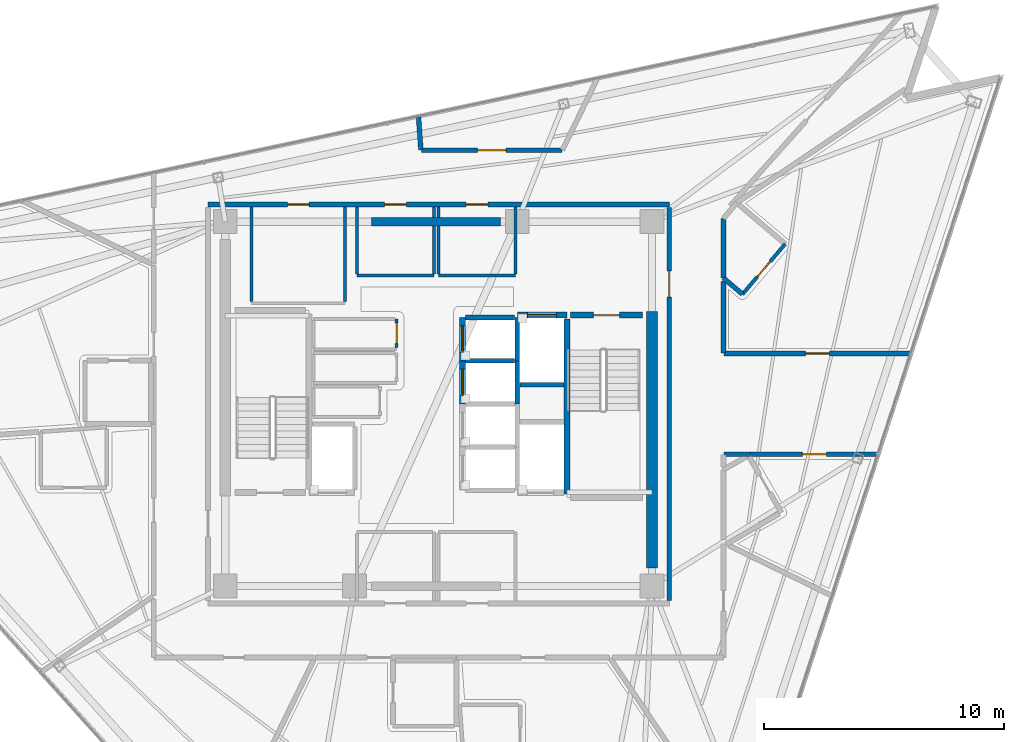
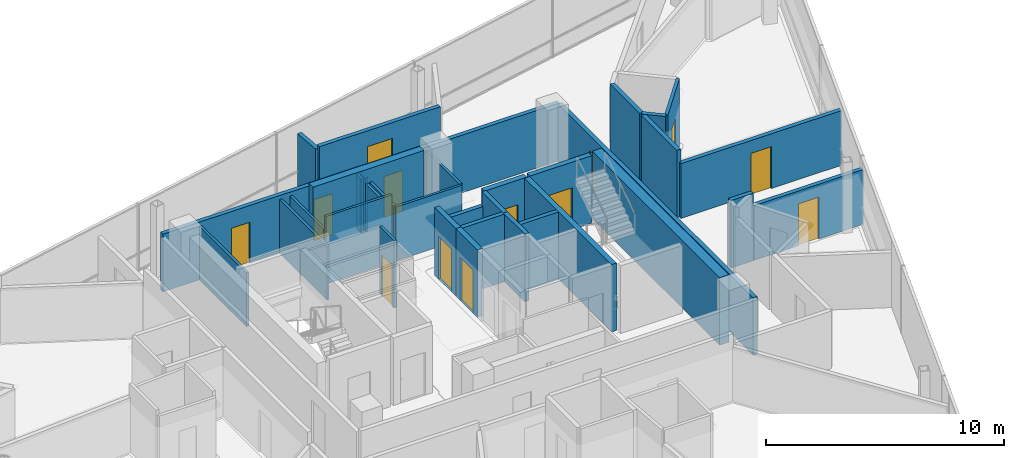
# One storey, part 12 of 18: 34 walls, 13 doors, 13 openings.
"""IFC4 building model written with IfcOpenShell, lengths in metres."""

from ifc_helpers import new_model, si_unit, direction, frame, frame_2d, origin, place, context, subcontext, project, spatial, rectangle, extrude, material, layer, layer_set, type_object, element, fill, save


model = new_model("IFC4")

# Units and contexts
model_context = context("Model", 3, precision=1e-05, world=origin(), true_north=direction((0.0, 1.0)))
body_context = subcontext(model_context, "Body", "Model", "MODEL_VIEW")
ifc_project = project(units=[si_unit("LENGTHUNIT", "METRE"), si_unit("AREAUNIT", "SQUARE_METRE"), si_unit("VOLUMEUNIT", "CUBIC_METRE"), si_unit("PLANEANGLEUNIT", "RADIAN"), si_unit("MASSUNIT", "GRAM", prefix="KILO")], contexts=[model_context])

# Site, building, storey
site_placement = place(None, origin())
site = spatial("IfcSite", under=ifc_project, at=site_placement, CompositionType="ELEMENT")
building_placement = place(site_placement, origin())
building = spatial("IfcBuilding", under=site, at=building_placement, Name="Tharavind Bronze Gate", CompositionType="ELEMENT")
storey_placement = place(building_placement, frame((0.0, 0.0, 287.050048828125)))
storey = spatial("IfcBuildingStorey", under=building, at=storey_placement, Name="L74", CompositionType="ELEMENT", Elevation=287.050048828125)

# Wall, openings, doors
ifc_material_1 = material(Name="Aerated Concrete Block", Category="concrete")
ifc_layer_1 = layer(ifc_material_1, 0.199951171875)
ifc_layer_set_1 = layer_set([ifc_layer_1], Name="Aerated Concrete Block")
wall_type_1 = type_object("IfcWallType", Name="FIRE RATED PARTITION 200", PredefinedType="PARTITIONING", material=ifc_layer_set_1)
wall_1_placement = place(storey_placement, frame((9.6201171875, 8.320068359375, 0.0), z_axis=(0.0, 0.0, 1.0), x_axis=(-1.0, 0.0, 0.0)))
wall_1 = element("IfcWall", 1, at=wall_1_placement, inside=storey, type_object=wall_type_1, Name="L74 north core corridor wall", PredefinedType="PARTITIONING", context=body_context, shape_type="SweptSolid", body=[
    extrude(rectangle(XDim=19.240234375, YDim=0.199951171875, at=frame_2d((9.6201171875, 0.0))), origin(), (0.0, 0.0, 1.0), 2.9599609375),
])
opening_1_placement = place(wall_1_placement, frame((10.969970703125, 0.0, 0.0)))
opening_1 = element("IfcOpeningElement", 2, at=opening_1_placement, cuts=wall_1, Name="Opening ID07", PredefinedType="OPENING", context=body_context, shape_type="SweptSolid", body=[
    extrude(rectangle(XDim=0.89990234375, YDim=2.10009765625, at=frame_2d((0.449951171875, 1.050048828125))), frame((0.0, 0.11009765625, 0.0), z_axis=(0.0, -1.0, 0.0), x_axis=(1.0, 0.0, 0.0)), (0.0, 0.0, 1.0), 0.219951171875),
])
opening_2_placement = place(wall_1_placement, frame((7.570068359375, 0.0, 0.0)))
opening_2 = element("IfcOpeningElement", 3, at=opening_2_placement, cuts=wall_1, Name="Opening ID07", PredefinedType="OPENING", context=body_context, shape_type="SweptSolid", body=[
    extrude(rectangle(XDim=0.89990234375, YDim=2.10009765625, at=frame_2d((0.449951171875, 1.050048828125))), frame((0.0, 0.11009765625, 0.0), z_axis=(0.0, -1.0, 0.0), x_axis=(1.0, 0.0, 0.0)), (0.0, 0.0, 1.0), 0.219951171875),
])
opening_3_placement = place(wall_1_placement, frame((15.02001953125, 0.0, 0.0)))
opening_3 = element("IfcOpeningElement", 4, at=opening_3_placement, cuts=wall_1, Name="Opening ID07", PredefinedType="OPENING", context=body_context, shape_type="SweptSolid", body=[
    extrude(rectangle(XDim=0.89990234375, YDim=2.10009765625, at=frame_2d((0.449951171875, 1.050048828125))), frame((0.0, 0.11009765625, 0.0), z_axis=(0.0, -1.0, 0.0), x_axis=(1.0, 0.0, 0.0)), (0.0, 0.0, 1.0), 0.219951171875),
])
ifc_material_2 = material(Name="Galvanised Fire Steel", Category="steel")
door_type_1 = type_object("IfcDoorType", Name="PLANT AND RISER FIRE DOOR 900X2100", OperationType="SINGLE_SWING_LEFT", PredefinedType="DOOR", material=ifc_material_2)
door_1_placement = place(opening_1_placement, frame((0.89990234375, 0.0, 0.0), z_axis=(0.0, 0.0, 1.0), x_axis=(-1.0, 0.0, 0.0)))
door_1 = element("IfcDoor", 5, at=door_1_placement, inside=storey, type_object=door_type_1, Name="L74 Core Telemetry Room fire door", OperationType="SINGLE_SWING_LEFT", OverallHeight=2.10009765625, OverallWidth=0.89990234375, PredefinedType="DOOR", context=body_context, shape_type="SweptSolid", body=[
    extrude(rectangle(XDim=0.89990234375, YDim=2.10009765625, at=frame_2d((0.449951171875, 1.050048828125))), frame((0.0, 0.02490234375, 0.0), z_axis=(0.0, -1.0, 0.0), x_axis=(1.0, 0.0, 0.0)), (0.0, 0.0, 1.0), 0.050048828125),
])
fill(opening_1, door_1)
door_2_placement = place(opening_2_placement, frame((0.89990234375, 0.0, 0.0), z_axis=(0.0, 0.0, 1.0), x_axis=(-1.0, 0.0, 0.0)))
door_2 = element("IfcDoor", 6, at=door_2_placement, inside=storey, type_object=door_type_1, Name="L74 Core Battery Room fire door", OperationType="SINGLE_SWING_LEFT", OverallHeight=2.10009765625, OverallWidth=0.89990234375, PredefinedType="DOOR", context=body_context, shape_type="SweptSolid", body=[
    extrude(rectangle(XDim=0.89990234375, YDim=2.10009765625, at=frame_2d((0.449951171875, 1.050048828125))), frame((0.0, 0.02490234375, 0.0), z_axis=(0.0, -1.0, 0.0), x_axis=(1.0, 0.0, 0.0)), (0.0, 0.0, 1.0), 0.050048828125),
])
fill(opening_2, door_2)
door_3_placement = place(opening_3_placement, frame((0.89990234375, 0.0, 0.0), z_axis=(0.0, 0.0, 1.0), x_axis=(-1.0, 0.0, 0.0)))
door_3 = element("IfcDoor", 7, at=door_3_placement, inside=storey, type_object=door_type_1, Name="L74 Electrical Switch Room fire door", OperationType="SINGLE_SWING_LEFT", OverallHeight=2.10009765625, OverallWidth=0.89990234375, PredefinedType="DOOR", context=body_context, shape_type="SweptSolid", body=[
    extrude(rectangle(XDim=0.89990234375, YDim=2.10009765625, at=frame_2d((0.449951171875, 1.050048828125))), frame((0.0, 0.02490234375, 0.0), z_axis=(0.0, -1.0, 0.0), x_axis=(1.0, 0.0, 0.0)), (0.0, 0.0, 1.0), 0.050048828125),
])
fill(opening_3, door_3)

# Wall, opening, door
wall_2_placement = place(storey_placement, frame((9.6201171875, -8.199951171875, 0.0), z_axis=(0.0, 0.0, 1.0), x_axis=(0.0, 1.0, 0.0)))
wall_2 = element("IfcWall", 8, at=wall_2_placement, inside=storey, type_object=wall_type_1, Name="L74 east core corridor wall", PredefinedType="PARTITIONING", context=body_context, shape_type="SweptSolid", body=[
    extrude(rectangle(XDim=16.39990234375, YDim=0.199951171875, at=frame_2d((8.199951171875, 0.0))), origin(), (0.0, 0.0, 1.0), 2.9599609375),
])
opening_4_placement = place(wall_2_placement, frame((12.64990234375, 0.0, 0.0)))
opening_4 = element("IfcOpeningElement", 9, at=opening_4_placement, cuts=wall_2, Name="Opening ID01", PredefinedType="OPENING", context=body_context, shape_type="SweptSolid", body=[
    extrude(rectangle(XDim=1.10009765625, YDim=2.14990234375, at=frame_2d((0.550048828125, 1.074951171875))), frame((0.0, 0.11009765625, 0.0), z_axis=(0.0, -1.0, 0.0), x_axis=(1.0, 0.0, 0.0)), (0.0, 0.0, 1.0), 0.219951171875),
])
ifc_material_3 = material(Name="Fire-Rated Steel", Category="steel")
door_type_2 = type_object("IfcDoorType", Name="STAIR CORE FIRE DOOR 1100X2150", OperationType="SINGLE_SWING_LEFT", PredefinedType="DOOR", material=ifc_material_3)
door_4_placement = place(opening_4_placement, frame((1.10009765625, 0.0, 0.0), z_axis=(0.0, 0.0, 1.0), x_axis=(-1.0, 0.0, 0.0)))
door_4 = element("IfcDoor", 10, at=door_4_placement, inside=storey, type_object=door_type_2, Name="L74 north east stair lobby fire door", OperationType="SINGLE_SWING_LEFT", OverallHeight=2.14990234375, OverallWidth=1.10009765625, PredefinedType="DOOR", context=body_context, shape_type="SweptSolid", body=[
    extrude(rectangle(XDim=1.10009765625, YDim=2.14990234375, at=frame_2d((0.550048828125, 1.074951171875))), frame((0.0, 0.02490234375, 0.0), z_axis=(0.0, -1.0, 0.0), x_axis=(1.0, 0.0, 0.0)), (0.0, 0.0, 1.0), 0.050048828125),
])
fill(opening_4, door_4)

# Walls
wall_3_placement = place(storey_placement, frame((12.6748046875, 4.575927734375, 0.0), z_axis=(0.0, 0.0, 1.0), x_axis=(-0.762355104859, 0.647158940366, 0.0)))
element("IfcWall", 11, at=wall_3_placement, inside=storey, type_object=wall_type_1, Name="L74 En-Suite Bathroom partition", PredefinedType="PARTITIONING", context=body_context, shape_type="SweptSolid", body=[
    extrude(rectangle(XDim=1.042724609375, YDim=0.199951171875, at=frame_2d((0.521484375, 0.0))), origin(), (0.0, 0.0, 1.0), 3.46484375),
])
wall_4_placement = place(storey_placement, frame((11.8798828125, 5.250732421875, 0.0), z_axis=(0.0, 0.0, 1.0), x_axis=(0.0, 1.0, 0.0)))
element("IfcWall", 12, at=wall_4_placement, inside=storey, type_object=wall_type_1, Name="L74 En-Suite Bathroom partition", PredefinedType="PARTITIONING", context=body_context, shape_type="SweptSolid", body=[
    extrude(rectangle(XDim=2.483154296875, YDim=0.199951171875, at=frame_2d((1.24169921875, 0.0))), origin(), (0.0, 0.0, 1.0), 3.46484375),
])

# Wall, opening, door
wall_5_placement = place(storey_placement, frame((19.6962890625, 2.10009765625, 0.0), z_axis=(0.0, 0.0, 1.0), x_axis=(-1.0, 0.0, 0.0)))
wall_5 = element("IfcWall", 13, at=wall_5_placement, inside=storey, type_object=wall_type_1, Name="L74 Corner Hotel Suite partition", PredefinedType="PARTITIONING", context=body_context, shape_type="SweptSolid", body=[
    extrude(rectangle(XDim=7.791259765625, YDim=0.199951171875, at=frame_2d((3.8955078125, 0.0))), origin(), (0.0, 0.0, 1.0), 2.81005859375),
])
opening_5_placement = place(wall_5_placement, frame((3.39599609375, 0.0, 0.0)))
opening_5 = element("IfcOpeningElement", 14, at=opening_5_placement, cuts=wall_5, Name="Opening ID03", PredefinedType="OPENING", context=body_context, shape_type="SweptSolid", body=[
    extrude(rectangle(XDim=1.0, YDim=2.14990234375, at=frame_2d((0.5, 1.074951171875))), frame((0.0, 0.11009765625, 0.0), z_axis=(0.0, -1.0, 0.0), x_axis=(1.0, 0.0, 0.0)), (0.0, 0.0, 1.0), 0.219951171875),
])
ifc_material_4 = material(Name="Solid Timber Veneer", Category="wood")
door_type_3 = type_object("IfcDoorType", Name="HOTEL SUITE ENTRANCE DOOR 1000X2150", OperationType="SINGLE_SWING_LEFT", PredefinedType="DOOR", material=ifc_material_4)
door_5_placement = place(opening_5_placement, origin())
door_5 = element("IfcDoor", 15, at=door_5_placement, inside=storey, type_object=door_type_3, Name="L74 Corner Hotel Suite door", OperationType="SINGLE_SWING_LEFT", OverallHeight=2.14990234375, OverallWidth=1.0, PredefinedType="DOOR", context=body_context, shape_type="SweptSolid", body=[
    extrude(rectangle(XDim=1.0, YDim=2.14990234375, at=frame_2d((0.5, 1.074951171875))), frame((0.0, 0.02490234375, 0.0), z_axis=(0.0, -1.0, 0.0), x_axis=(1.0, 0.0, 0.0)), (0.0, 0.0, 1.0), 0.050048828125),
])
fill(opening_5, door_5)

# Wall
wall_6_placement = place(storey_placement, frame((11.8798828125, 2.125, 0.0), z_axis=(0.0, 0.0, 1.0), x_axis=(0.0, 1.0, 0.0)))
element("IfcWall", 16, at=wall_6_placement, inside=storey, type_object=wall_type_1, Name="L74 Corner Hotel Suite partition", PredefinedType="PARTITIONING", context=body_context, shape_type="SweptSolid", body=[
    extrude(rectangle(XDim=2.988037109375, YDim=0.199951171875, at=frame_2d((1.494140625, 0.0))), origin(), (0.0, 0.0, 1.0), 3.46484375),
])

# Wall, opening, door
wall_7_placement = place(storey_placement, frame((5.14453125, 10.580078125, 0.0), z_axis=(0.0, 0.0, 1.0), x_axis=(-1.0, 0.0, 0.0)))
wall_7 = element("IfcWall", 17, at=wall_7_placement, inside=storey, type_object=wall_type_1, Name="L74 Hotel Guest Lounge partition", PredefinedType="PARTITIONING", context=body_context, shape_type="SweptSolid", body=[
    extrude(rectangle(XDim=5.861083984375, YDim=0.199951171875, at=frame_2d((2.9306640625, 0.0))), origin(), (0.0, 0.0, 1.0), 2.9599609375),
])
opening_6_placement = place(wall_7_placement, frame((2.3310546875, 0.0, 0.0)))
opening_6 = element("IfcOpeningElement", 18, at=opening_6_placement, cuts=wall_7, Name="Opening ID05", PredefinedType="OPENING", context=body_context, shape_type="SweptSolid", body=[
    extrude(rectangle(XDim=1.199951171875, YDim=2.14990234375, at=frame_2d((0.60009765625, 1.074951171875))), frame((0.0, 0.11009765625, 0.0), z_axis=(0.0, -1.0, 0.0), x_axis=(1.0, 0.0, 0.0)), (0.0, 0.0, 1.0), 0.219951171875),
])
ifc_material_5 = material(Name="Acoustic Laminated Glass", Category="glass")
door_type_4 = type_object("IfcDoorType", Name="MEETING ROOM GLAZED DOOR 1200X2150", OperationType="SINGLE_SWING_LEFT", PredefinedType="DOOR", material=ifc_material_5)
door_6_placement = place(opening_6_placement, origin())
door_6 = element("IfcDoor", 19, at=door_6_placement, inside=storey, type_object=door_type_4, Name="L74 Hotel Guest Lounge door", OperationType="SINGLE_SWING_LEFT", OverallHeight=2.14990234375, OverallWidth=1.199951171875, PredefinedType="DOOR", context=body_context, shape_type="SweptSolid", body=[
    extrude(rectangle(XDim=1.199951171875, YDim=2.14990234375, at=frame_2d((0.60009765625, 1.074951171875))), frame((0.0, 0.02490234375, 0.0), z_axis=(0.0, -1.0, 0.0), x_axis=(1.0, 0.0, 0.0)), (0.0, 0.0, 1.0), 0.050048828125),
])
fill(opening_6, door_6)

# Walls
wall_8_placement = place(storey_placement, frame((-0.741455078125, 10.603271484375, 0.0), z_axis=(0.0, 0.0, 1.0), x_axis=(-0.069804319126, 0.997560703432, 0.0)))
element("IfcWall", 20, at=wall_8_placement, inside=storey, type_object=wall_type_1, Name="L74 Hotel Guest Lounge partition", PredefinedType="PARTITIONING", context=body_context, shape_type="SweptSolid", body=[
    extrude(rectangle(XDim=1.37109375, YDim=0.199951171875, at=frame_2d((0.685546875, 0.0))), origin(), (0.0, 0.0, 1.0), 2.81005859375),
])
wall_9_placement = place(storey_placement, frame((11.905029296875, -2.10009765625, 0.0), z_axis=(0.0, 0.0, 1.0), x_axis=(1.0, 0.0, 0.0)))
element("IfcWall", 21, at=wall_9_placement, inside=storey, type_object=wall_type_1, Name="L74 Corner Hotel Suite partition", PredefinedType="PARTITIONING", context=body_context, shape_type="SweptSolid", body=[
    extrude(rectangle(XDim=1.094970703125, YDim=0.199951171875, at=frame_2d((0.54736328125, 0.0))), origin(), (0.0, 0.0, 1.0), 3.46484375),
])

# Wall, opening, door
wall_10_placement = place(storey_placement, frame((13.0146484375, -2.10009765625, 0.0), z_axis=(0.0, 0.0, 1.0), x_axis=(1.0, 0.0, 0.0)))
wall_10 = element("IfcWall", 22, at=wall_10_placement, inside=storey, type_object=wall_type_1, Name="L74 Corner Hotel Suite partition", PredefinedType="PARTITIONING", context=body_context, shape_type="SweptSolid", body=[
    extrude(rectangle(XDim=5.31689453125, YDim=0.199951171875, at=frame_2d((2.658447265625, 0.0))), origin(), (0.0, 0.0, 1.0), 2.81005859375),
])
opening_7_placement = place(wall_10_placement, frame((2.158935546875, 0.0, 0.0)))
opening_7 = element("IfcOpeningElement", 23, at=opening_7_placement, cuts=wall_10, Name="Opening ID03", PredefinedType="OPENING", context=body_context, shape_type="SweptSolid", body=[
    extrude(rectangle(XDim=1.0, YDim=2.14990234375, at=frame_2d((0.5, 1.074951171875))), frame((0.0, 0.11009765625, 0.0), z_axis=(0.0, -1.0, 0.0), x_axis=(1.0, 0.0, 0.0)), (0.0, 0.0, 1.0), 0.219951171875),
])
door_7_placement = place(opening_7_placement, origin())
door_7 = element("IfcDoor", 24, at=door_7_placement, inside=storey, type_object=door_type_3, Name="L74 Corner Hotel Suite door", OperationType="SINGLE_SWING_LEFT", OverallHeight=2.14990234375, OverallWidth=1.0, PredefinedType="DOOR", context=body_context, shape_type="SweptSolid", body=[
    extrude(rectangle(XDim=1.0, YDim=2.14990234375, at=frame_2d((0.5, 1.074951171875))), frame((0.0, 0.02490234375, 0.0), z_axis=(0.0, -1.0, 0.0), x_axis=(1.0, 0.0, 0.0)), (0.0, 0.0, 1.0), 0.050048828125),
])
fill(opening_7, door_7)

ifc_material_6 = material(Name="Metal Stud Gypsum Partition", Category="gypsum")
ifc_layer_2 = layer(ifc_material_6, 0.1201171875)
ifc_layer_set_2 = layer_set([ifc_layer_2], Name="Metal Stud Gypsum Partition")
wall_type_2 = type_object("IfcWallType", Name="INTERIOR PARTITION WALL 120", PredefinedType="PARTITIONING", material=ifc_layer_set_2)
wall_11_placement = place(storey_placement, frame((-1.75, 2.344970703125, 0.0), z_axis=(0.0, 0.0, 1.0), x_axis=(0.0, 1.0, 0.0)))
wall_11 = element("IfcWall", 25, at=wall_11_placement, inside=storey, type_object=wall_type_2, Name="L74 Housekeeping Linen Store partition 2", PredefinedType="PARTITIONING", context=body_context, shape_type="SweptSolid", body=[
    extrude(rectangle(XDim=1.205078125, YDim=0.1201171875, at=frame_2d((0.6025390625, 0.0))), origin(), (0.0, 0.0, 1.0), 3.46484375),
])
opening_8_placement = place(wall_11_placement, frame((0.177001953125, 0.0, 0.0)))
opening_8 = element("IfcOpeningElement", 26, at=opening_8_placement, cuts=wall_11, Name="Opening ID06", PredefinedType="OPENING", context=body_context, shape_type="SweptSolid", body=[
    extrude(rectangle(XDim=0.85009765625, YDim=2.10009765625, at=frame_2d((0.425048828125, 1.050048828125))), frame((0.0, 0.07005859375, 0.0), z_axis=(0.0, -1.0, 0.0), x_axis=(1.0, 0.0, 0.0)), (0.0, 0.0, 1.0), 0.1401171875),
])
ifc_material_7 = material(Name="Moisture-Resistant Timber", Category="wood")
door_type_5 = type_object("IfcDoorType", Name="BATHROOM PRIVACY DOOR 850X2100", OperationType="SINGLE_SWING_RIGHT", PredefinedType="DOOR", material=ifc_material_7)
door_8_placement = place(opening_8_placement, frame((0.85009765625, 0.0, 0.0), z_axis=(0.0, 0.0, 1.0), x_axis=(-1.0, 0.0, 0.0)))
door_8 = element("IfcDoor", 27, at=door_8_placement, inside=storey, type_object=door_type_5, Name="L74 Housekeeping Linen Store door", OperationType="SINGLE_SWING_RIGHT", OverallHeight=2.10009765625, OverallWidth=0.85009765625, PredefinedType="DOOR", context=body_context, shape_type="SweptSolid", body=[
    extrude(rectangle(XDim=0.85009765625, YDim=2.10009765625, at=frame_2d((0.425048828125, 1.050048828125))), frame((0.0, 0.02490234375, 0.0), z_axis=(0.0, -1.0, 0.0), x_axis=(1.0, 0.0, 0.0)), (0.0, 0.0, 1.0), 0.050048828125),
])
fill(opening_8, door_8)

# Walls
wall_12_placement = place(storey_placement, frame((-3.39990234375, 5.35009765625, 0.0), z_axis=(0.0, 0.0, 1.0), x_axis=(1.0, 0.0, 0.0)))
element("IfcWall", 28, at=wall_12_placement, inside=storey, type_object=wall_type_2, Name="L74 Core Telemetry Room partition 1", PredefinedType="PARTITIONING", context=body_context, shape_type="SweptSolid", body=[
    extrude(rectangle(XDim=3.199951171875, YDim=0.1201171875, at=frame_2d((1.60009765625, 0.0))), origin(), (0.0, 0.0, 1.0), 3.46484375),
])
wall_13_placement = place(storey_placement, frame((-0.199951171875, 5.4150390625, 0.0), z_axis=(0.0, 0.0, 1.0), x_axis=(0.0, 1.0, 0.0)))
element("IfcWall", 29, at=wall_13_placement, inside=storey, type_object=wall_type_2, Name="L74 Core Telemetry Room partition 2", PredefinedType="PARTITIONING", context=body_context, shape_type="SweptSolid", body=[
    extrude(rectangle(XDim=2.0048828125, YDim=0.1201171875, at=frame_2d((1.00244140625, 0.0))), origin(), (0.0, 0.0, 1.0), 2.760009765625),
])
wall_14_placement = place(storey_placement, frame((-0.199951171875, 7.780029296875, 0.0), z_axis=(0.0, 0.0, 1.0), x_axis=(0.0, 1.0, 0.0)))
element("IfcWall", 30, at=wall_14_placement, inside=storey, type_object=wall_type_2, Name="L74 Core Telemetry Room partition 2", PredefinedType="PARTITIONING", context=body_context, shape_type="SweptSolid", body=[
    extrude(rectangle(XDim=0.43505859375, YDim=0.1201171875, at=frame_2d((0.217529296875, 0.0))), origin(), (0.0, 0.0, 1.0), 2.760009765625),
])
wall_15_placement = place(storey_placement, frame((-3.39990234375, 8.215087890625, 0.0), z_axis=(0.0, 0.0, 1.0), x_axis=(0.0, -1.0, 0.0)))
element("IfcWall", 31, at=wall_15_placement, inside=storey, type_object=wall_type_2, Name="L74 Core Telemetry Room partition 4", PredefinedType="PARTITIONING", context=body_context, shape_type="SweptSolid", body=[
    extrude(rectangle(XDim=2.800048828125, YDim=0.1201171875, at=frame_2d((1.39990234375, 0.0))), origin(), (0.0, 0.0, 1.0), 2.760009765625),
])
wall_16_placement = place(storey_placement, frame((0.0, 5.35009765625, 0.0), z_axis=(0.0, 0.0, 1.0), x_axis=(1.0, 0.0, 0.0)))
element("IfcWall", 32, at=wall_16_placement, inside=storey, type_object=wall_type_2, Name="L74 Core Battery Room partition 1", PredefinedType="PARTITIONING", context=body_context, shape_type="SweptSolid", body=[
    extrude(rectangle(XDim=3.199951171875, YDim=0.1201171875, at=frame_2d((1.60009765625, 0.0))), origin(), (0.0, 0.0, 1.0), 2.760009765625),
])
wall_17_placement = place(storey_placement, frame((3.199951171875, 5.4150390625, 0.0), z_axis=(0.0, 0.0, 1.0), x_axis=(0.0, 1.0, 0.0)))
element("IfcWall", 33, at=wall_17_placement, inside=storey, type_object=wall_type_2, Name="L74 Core Battery Room partition 2", PredefinedType="PARTITIONING", context=body_context, shape_type="SweptSolid", body=[
    extrude(rectangle(XDim=2.800048828125, YDim=0.1201171875, at=frame_2d((1.39990234375, 0.0))), origin(), (0.0, 0.0, 1.0), 2.760009765625),
])
wall_18_placement = place(storey_placement, frame((0.0, 8.215087890625, 0.0), z_axis=(0.0, 0.0, 1.0), x_axis=(0.0, -1.0, 0.0)))
element("IfcWall", 34, at=wall_18_placement, inside=storey, type_object=wall_type_2, Name="L74 Core Battery Room partition 4", PredefinedType="PARTITIONING", context=body_context, shape_type="SweptSolid", body=[
    extrude(rectangle(XDim=0.43505859375, YDim=0.1201171875, at=frame_2d((0.217529296875, 0.0))), origin(), (0.0, 0.0, 1.0), 2.760009765625),
])
wall_19_placement = place(storey_placement, frame((0.0, 7.419921875, 0.0), z_axis=(0.0, 0.0, 1.0), x_axis=(0.0, -1.0, 0.0)))
element("IfcWall", 35, at=wall_19_placement, inside=storey, type_object=wall_type_2, Name="L74 Core Battery Room partition 4", PredefinedType="PARTITIONING", context=body_context, shape_type="SweptSolid", body=[
    extrude(rectangle(XDim=2.0048828125, YDim=0.1201171875, at=frame_2d((1.00244140625, 0.0))), origin(), (0.0, 0.0, 1.0), 2.760009765625),
])
for number, where, z_axis, x_axis, name in (
    (36, (-3.89990234375, 4.264892578125, 0.0), (0.0, 0.0, 1.0), (0.0, 1.0, 0.0), "L74 Electrical Switch Room partition 2"),
    (37, (-7.800048828125, 8.215087890625, 0.0), (0.0, 0.0, 1.0), (0.0, -1.0, 0.0), "L74 Electrical Switch Room partition 4"),
):
    element("IfcWall", number, at=place(storey_placement, frame(where, z_axis=z_axis, x_axis=x_axis)), inside=storey, type_object=wall_type_2, Name=name, PredefinedType="PARTITIONING", context=body_context, shape_type="SweptSolid", body=[
        extrude(rectangle(XDim=3.9501953125, YDim=0.1201171875, at=frame_2d((1.97509765625, 0.0))), origin(), (0.0, 0.0, 1.0), 2.760009765625),
    ])

# Wall, opening, door
ifc_material_8 = material(Name="Twin Stud Acoustic Gypsum", Category="gypsum")
ifc_layer_3 = layer(ifc_material_8, 0.14990234375)
ifc_layer_set_3 = layer_set([ifc_layer_3], Name="Twin Stud Acoustic Gypsum")
wall_type_3 = type_object("IfcWallType", Name="INTERIOR PARTITION WALL 150", PredefinedType="PARTITIONING", material=ifc_layer_set_3)
wall_20_placement = place(storey_placement, frame((14.45458984375, 6.672119140625, 0.0), z_axis=(0.0, 0.0, 1.0), x_axis=(-0.647230821936, -0.762294079169, 0.0)))
wall_20 = element("IfcWall", 38, at=wall_20_placement, inside=storey, type_object=wall_type_3, Name="L74 En-Suite Bathroom partition", PredefinedType="PARTITIONING", context=body_context, shape_type="SweptSolid", body=[
    extrude(rectangle(XDim=2.749755859375, YDim=0.14990234375, at=frame_2d((1.375, 0.0))), origin(), (0.0, 0.0, 1.0), 3.46484375),
])
opening_9_placement = place(wall_20_placement, frame((0.949951171875, 0.0, 0.0)))
opening_9 = element("IfcOpeningElement", 39, at=opening_9_placement, cuts=wall_20, Name="Opening ID06", PredefinedType="OPENING", context=body_context, shape_type="SweptSolid", body=[
    extrude(rectangle(XDim=0.85009765625, YDim=2.10009765625, at=frame_2d((0.425048828125, 1.050048828125))), frame((0.0, 0.084951171875, 0.0), z_axis=(0.0, -1.0, 0.0), x_axis=(1.0, 0.0, 0.0)), (0.0, 0.0, 1.0), 0.16990234375),
])
door_9_placement = place(opening_9_placement, origin())
door_9 = element("IfcDoor", 40, at=door_9_placement, inside=storey, type_object=door_type_5, Name="L74 En-Suite Bathroom door", OperationType="SINGLE_SWING_RIGHT", OverallHeight=2.10009765625, OverallWidth=0.85009765625, PredefinedType="DOOR", context=body_context, shape_type="SweptSolid", body=[
    extrude(rectangle(XDim=0.85009765625, YDim=2.10009765625, at=frame_2d((0.425048828125, 1.050048828125))), frame((0.0, 0.02490234375, 0.0), z_axis=(0.0, -1.0, 0.0), x_axis=(1.0, 0.0, 0.0)), (0.0, 0.0, 1.0), 0.050048828125),
])
fill(opening_9, door_9)

# Wall
ifc_material_9 = material(Name="Concrete C50/60", Category="concrete")
ifc_layer_4 = layer(ifc_material_9, 0.25)
ifc_layer_set_4 = layer_set([ifc_layer_4], Name="Concrete C50/60")
wall_type_4 = type_object("IfcWallType", Name="RC CORE SHEAR WALL 250", PredefinedType="SHEAR", material=ifc_layer_set_4)
wall_21_placement = place(storey_placement, frame((5.35009765625, -3.75, 0.0), z_axis=(0.0, 0.0, 1.0), x_axis=(0.0, 1.0, 0.0)))
element("IfcWall", 41, at=wall_21_placement, inside=storey, type_object=wall_type_4, Name="L74 ST2 shaft west wall", PredefinedType="SHEAR", context=body_context, shape_type="SweptSolid", body=[
    extrude(rectangle(XDim=7.300048828125, YDim=0.25, at=frame_2d((3.64990234375, 0.0))), origin(), (0.0, 0.0, 1.0), 3.46484375),
])

# Wall, opening, door
wall_22_placement = place(storey_placement, frame((5.5, 3.699951171875, 0.0), z_axis=(0.0, 0.0, 1.0), x_axis=(1.0, 0.0, 0.0)))
wall_22 = element("IfcWall", 42, at=wall_22_placement, inside=storey, type_object=wall_type_4, Name="L74 ST2 shaft north wall", PredefinedType="SHEAR", context=body_context, shape_type="SweptSolid", body=[
    extrude(rectangle(XDim=3.0, YDim=0.25, at=frame_2d((1.5, 0.0))), origin(), (0.0, 0.0, 1.0), 3.46484375),
])
opening_10_placement = place(wall_22_placement, frame((0.949951171875, 0.0, 0.0)))
opening_10 = element("IfcOpeningElement", 43, at=opening_10_placement, cuts=wall_22, Name="Opening ID01", PredefinedType="OPENING", context=body_context, shape_type="SweptSolid", body=[
    extrude(rectangle(XDim=1.10009765625, YDim=2.14990234375, at=frame_2d((0.550048828125, 1.074951171875))), frame((0.0, 0.135, 0.0), z_axis=(0.0, -1.0, 0.0), x_axis=(1.0, 0.0, 0.0)), (0.0, 0.0, 1.0), 0.27),
])
door_10_placement = place(opening_10_placement, frame((1.10009765625, 0.0, 0.0), z_axis=(0.0, 0.0, 1.0), x_axis=(-1.0, 0.0, 0.0)))
door_10 = element("IfcDoor", 44, at=door_10_placement, inside=storey, type_object=door_type_2, Name="L74 exit stair ST2 fire door", OperationType="SINGLE_SWING_LEFT", OverallHeight=2.14990234375, OverallWidth=1.10009765625, PredefinedType="DOOR", context=body_context, shape_type="SweptSolid", body=[
    extrude(rectangle(XDim=1.10009765625, YDim=2.14990234375, at=frame_2d((0.550048828125, 1.074951171875))), frame((0.0, 0.02490234375, 0.0), z_axis=(0.0, -1.0, 0.0), x_axis=(1.0, 0.0, 0.0)), (0.0, 0.0, 1.0), 0.050048828125),
])
fill(opening_10, door_10)

wall_23_placement = place(storey_placement, frame((1.0, 0.0, 0.0), z_axis=(0.0, 0.0, 1.0), x_axis=(0.0, 1.0, 0.0)))
wall_23 = element("IfcWall", 45, at=wall_23_placement, inside=storey, type_object=wall_type_4, Name="L74 lift PL11 shaft front wall", PredefinedType="SHEAR", context=body_context, shape_type="SweptSolid", body=[
    extrude(rectangle(XDim=1.800048828125, YDim=0.25, at=frame_2d((0.89990234375, 0.0))), origin(), (0.0, 0.0, 1.0), 3.46484375),
])
opening_11_placement = place(wall_23_placement, frame((0.35009765625, 0.0, 0.0)))
opening_11 = element("IfcOpeningElement", 46, at=opening_11_placement, cuts=wall_23, Name="Opening LD01", PredefinedType="OPENING", context=body_context, shape_type="SweptSolid", body=[
    extrude(rectangle(XDim=1.10009765625, YDim=2.199951171875, at=frame_2d((0.550048828125, 1.10009765625))), frame((0.0, 0.135, 0.0), z_axis=(0.0, -1.0, 0.0), x_axis=(1.0, 0.0, 0.0)), (0.0, 0.0, 1.0), 0.27),
])
ifc_material_10 = material(Name="Brushed Bronze Stainless Steel", Category="steel")
door_type_6 = type_object("IfcDoorType", Name="LIFT LANDING SLIDING DOOR 1100X2200", OperationType="SLIDING_TO_LEFT", PredefinedType="DOOR", material=ifc_material_10)
door_11_placement = place(opening_11_placement, origin())
door_11 = element("IfcDoor", 47, at=door_11_placement, inside=storey, type_object=door_type_6, Name="L74 lift PL11 sliding landing door", OperationType="SLIDING_TO_LEFT", OverallHeight=2.199951171875, OverallWidth=1.10009765625, PredefinedType="DOOR", context=body_context, shape_type="SweptSolid", body=[
    extrude(rectangle(XDim=1.10009765625, YDim=2.199951171875, at=frame_2d((0.550048828125, 1.10009765625))), frame((0.0, 0.02490234375, 0.0), z_axis=(0.0, -1.0, 0.0), x_axis=(1.0, 0.0, 0.0)), (0.0, 0.0, 1.0), 0.050048828125),
])
fill(opening_11, door_11)

wall_24_placement = place(storey_placement, frame((1.0, 1.800048828125, 0.0), z_axis=(0.0, 0.0, 1.0), x_axis=(0.0, 1.0, 0.0)))
wall_24 = element("IfcWall", 48, at=wall_24_placement, inside=storey, type_object=wall_type_4, Name="L74 lift PL12 shaft front wall", PredefinedType="SHEAR", context=body_context, shape_type="SweptSolid", body=[
    extrude(rectangle(XDim=1.800048828125, YDim=0.25, at=frame_2d((0.89990234375, 0.0))), origin(), (0.0, 0.0, 1.0), 3.46484375),
])
opening_12_placement = place(wall_24_placement, frame((0.35009765625, 0.0, 0.0)))
opening_12 = element("IfcOpeningElement", 49, at=opening_12_placement, cuts=wall_24, Name="Opening LD01", PredefinedType="OPENING", context=body_context, shape_type="SweptSolid", body=[
    extrude(rectangle(XDim=1.10009765625, YDim=2.199951171875, at=frame_2d((0.550048828125, 1.10009765625))), frame((0.0, 0.135, 0.0), z_axis=(0.0, -1.0, 0.0), x_axis=(1.0, 0.0, 0.0)), (0.0, 0.0, 1.0), 0.27),
])
door_12_placement = place(opening_12_placement, origin())
door_12 = element("IfcDoor", 50, at=door_12_placement, inside=storey, type_object=door_type_6, Name="L74 lift PL12 sliding landing door", OperationType="SLIDING_TO_LEFT", OverallHeight=2.199951171875, OverallWidth=1.10009765625, PredefinedType="DOOR", context=body_context, shape_type="SweptSolid", body=[
    extrude(rectangle(XDim=1.10009765625, YDim=2.199951171875, at=frame_2d((0.550048828125, 1.10009765625))), frame((0.0, 0.02490234375, 0.0), z_axis=(0.0, -1.0, 0.0), x_axis=(1.0, 0.0, 0.0)), (0.0, 0.0, 1.0), 0.050048828125),
])
fill(opening_12, door_12)

wall_25_placement = place(storey_placement, frame((3.280029296875, 3.699951171875, 0.0), z_axis=(0.0, 0.0, 1.0), x_axis=(1.0, 0.0, 0.0)))
wall_25 = element("IfcWall", 51, at=wall_25_placement, inside=storey, type_object=wall_type_4, Name="L74 lift FFL2 shaft front wall", PredefinedType="SHEAR", context=body_context, shape_type="SweptSolid", body=[
    extrude(rectangle(XDim=2.070068359375, YDim=0.25, at=frame_2d((1.03515625, 0.0))), origin(), (0.0, 0.0, 1.0), 3.46484375),
])
opening_13_placement = place(wall_25_placement, frame((0.43505859375, 0.0, 0.0)))
opening_13 = element("IfcOpeningElement", 52, at=opening_13_placement, cuts=wall_25, Name="Opening LD02", PredefinedType="OPENING", context=body_context, shape_type="SweptSolid", body=[
    extrude(rectangle(XDim=1.199951171875, YDim=2.199951171875, at=frame_2d((0.60009765625, 1.10009765625))), frame((0.0, 0.135, 0.0), z_axis=(0.0, -1.0, 0.0), x_axis=(1.0, 0.0, 0.0)), (0.0, 0.0, 1.0), 0.27),
])
ifc_material_11 = material(Name="Brushed Stainless Steel", Category="steel")
door_type_7 = type_object("IfcDoorType", Name="FIREFIGHTING LIFT LANDING DOOR 1200X2200", OperationType="SLIDING_TO_RIGHT", PredefinedType="DOOR", material=ifc_material_11)
door_13_placement = place(opening_13_placement, origin())
door_13 = element("IfcDoor", 53, at=door_13_placement, inside=storey, type_object=door_type_7, Name="L74 lift FFL2 sliding landing door", OperationType="SLIDING_TO_RIGHT", OverallHeight=2.199951171875, OverallWidth=1.199951171875, PredefinedType="DOOR", context=body_context, shape_type="SweptSolid", body=[
    extrude(rectangle(XDim=1.199951171875, YDim=2.199951171875, at=frame_2d((0.60009765625, 1.10009765625))), frame((0.0, 0.02490234375, 0.0), z_axis=(0.0, -1.0, 0.0), x_axis=(1.0, 0.0, 0.0)), (0.0, 0.0, 1.0), 0.050048828125),
])
fill(opening_13, door_13)

# Walls
ifc_layer_5 = layer(ifc_material_9, 0.35009765625)
ifc_layer_set_5 = layer_set([ifc_layer_5], Name="Concrete C50/60")
wall_type_5 = type_object("IfcWallType", Name="RC CORE SHEAR WALL 350", PredefinedType="SHEAR", material=ifc_layer_set_5)
wall_26_placement = place(storey_placement, frame((-2.800048828125, 7.60009765625, 0.0), z_axis=(0.0, 0.0, 1.0), x_axis=(1.0, 0.0, 0.0)))
element("IfcWall", 54, at=wall_26_placement, inside=storey, type_object=wall_type_5, Name="L74 north core shear wall", PredefinedType="SHEAR", context=body_context, shape_type="SweptSolid", body=[
    extrude(rectangle(XDim=5.380126953125, YDim=0.35009765625, at=frame_2d((2.68994140625, 0.0))), origin(), (0.0, 0.0, 1.0), 3.46484375),
])
ifc_material_12 = material(Name="Concrete C60/75", Category="concrete")
ifc_layer_6 = layer(ifc_material_12, 0.449951171875)
ifc_layer_set_6 = layer_set([ifc_layer_6], Name="Concrete C60/75")
wall_type_6 = type_object("IfcWallType", Name="RC CORE SHEAR WALL 450", PredefinedType="SHEAR", material=ifc_layer_set_6)
wall_27_placement = place(storey_placement, frame((8.89990234375, -6.85009765625, 0.0), z_axis=(0.0, 0.0, 1.0), x_axis=(0.0, 1.0, 0.0)))
element("IfcWall", 55, at=wall_27_placement, inside=storey, type_object=wall_type_6, Name="L74 east core shear wall", PredefinedType="SHEAR", context=body_context, shape_type="SweptSolid", body=[
    extrude(rectangle(XDim=10.7001953125, YDim=0.449951171875, at=frame_2d((5.35009765625, 0.0))), origin(), (0.0, 0.0, 1.0), 3.46484375),
])
ifc_material_13 = material(Name="Concrete C40/50", Category="concrete")
ifc_layer_7 = layer(ifc_material_13, 0.199951171875)
ifc_layer_set_7 = layer_set([ifc_layer_7], Name="Concrete C40/50")
wall_type_7 = type_object("IfcWallType", Name="SHAFT ENCLOSURE WALL 200", PredefinedType="PARTITIONING", material=ifc_layer_set_7)
wall_28_placement = place(storey_placement, frame((3.280029296875, 0.0, 0.0), z_axis=(0.0, 0.0, 1.0), x_axis=(0.0, 1.0, 0.0)))
element("IfcWall", 56, at=wall_28_placement, inside=storey, type_object=wall_type_7, Name="L74 lift PL11 shaft E enclosure wall", PredefinedType="PARTITIONING", context=body_context, shape_type="SweptSolid", body=[
    extrude(rectangle(XDim=1.800048828125, YDim=0.199951171875, at=frame_2d((0.89990234375, 0.0))), origin(), (0.0, 0.0, 1.0), 3.46484375),
])
wall_29_placement = place(storey_placement, frame((1.1298828125, 1.800048828125, 0.0), z_axis=(0.0, 0.0, 1.0), x_axis=(1.0, 0.0, 0.0)))
element("IfcWall", 57, at=wall_29_placement, inside=storey, type_object=wall_type_7, Name="L74 lift PL11 shaft N enclosure wall", PredefinedType="PARTITIONING", context=body_context, shape_type="SweptSolid", body=[
    extrude(rectangle(XDim=2.045166015625, YDim=0.199951171875, at=frame_2d((1.0224609375, 0.0))), origin(), (0.0, 0.0, 1.0), 3.46484375),
])
wall_30_placement = place(storey_placement, frame((3.280029296875, 1.800048828125, 0.0), z_axis=(0.0, 0.0, 1.0), x_axis=(0.0, 1.0, 0.0)))
element("IfcWall", 58, at=wall_30_placement, inside=storey, type_object=wall_type_7, Name="L74 lift PL12 shaft E enclosure wall", PredefinedType="PARTITIONING", context=body_context, shape_type="SweptSolid", body=[
    extrude(rectangle(XDim=1.800048828125, YDim=0.199951171875, at=frame_2d((0.89990234375, 0.0))), origin(), (0.0, 0.0, 1.0), 3.46484375),
])
wall_31_placement = place(storey_placement, frame((1.1298828125, 3.60009765625, 0.0), z_axis=(0.0, 0.0, 1.0), x_axis=(1.0, 0.0, 0.0)))
element("IfcWall", 59, at=wall_31_placement, inside=storey, type_object=wall_type_7, Name="L74 lift PL12 shaft N enclosure wall", PredefinedType="PARTITIONING", context=body_context, shape_type="SweptSolid", body=[
    extrude(rectangle(XDim=2.045166015625, YDim=0.199951171875, at=frame_2d((1.0224609375, 0.0))), origin(), (0.0, 0.0, 1.0), 2.760009765625),
])
wall_32_placement = place(storey_placement, frame((3.385009765625, 0.800048828125, 0.0), z_axis=(0.0, 0.0, 1.0), x_axis=(1.0, 0.0, 0.0)))
element("IfcWall", 60, at=wall_32_placement, inside=storey, type_object=wall_type_7, Name="L74 lift FFL2 shaft S enclosure wall", PredefinedType="PARTITIONING", context=body_context, shape_type="SweptSolid", body=[
    extrude(rectangle(XDim=1.8349609375, YDim=0.199951171875, at=frame_2d((0.91748046875, 0.0))), origin(), (0.0, 0.0, 1.0), 3.46484375),
])

save(model, "model.ifc")
